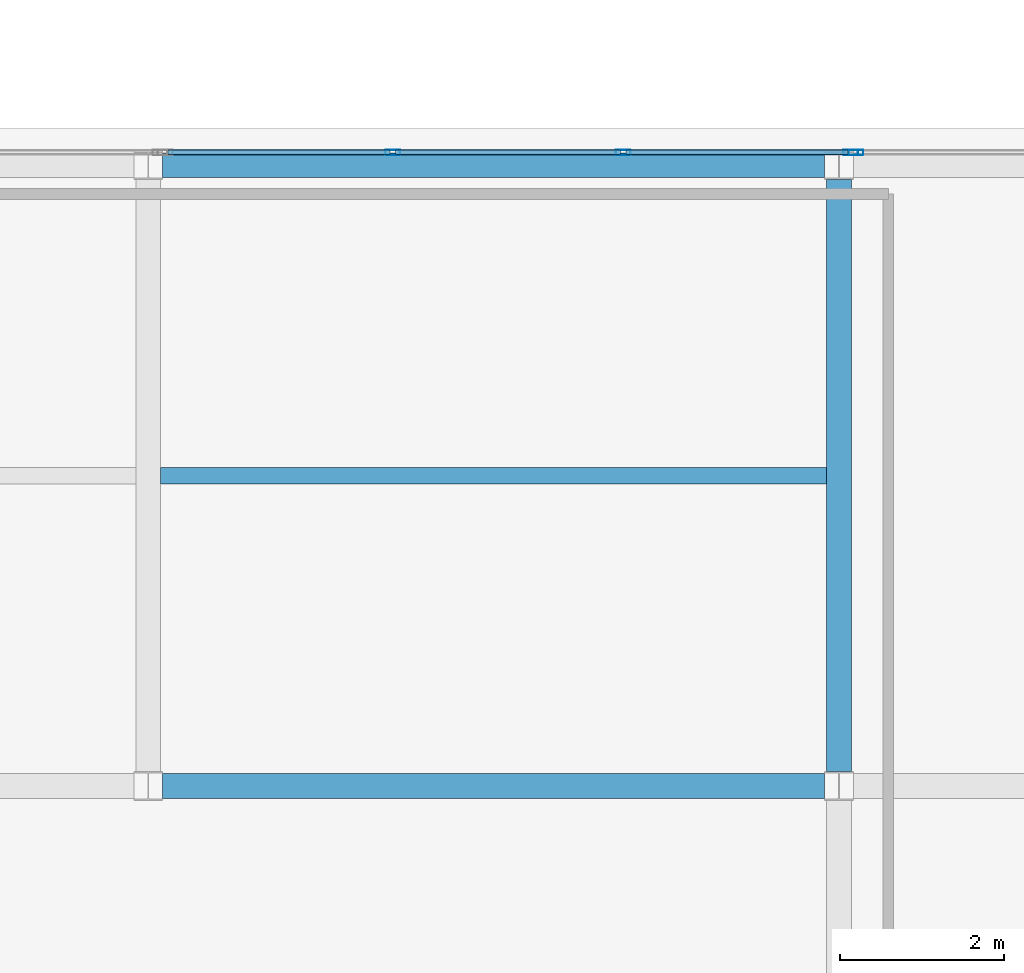
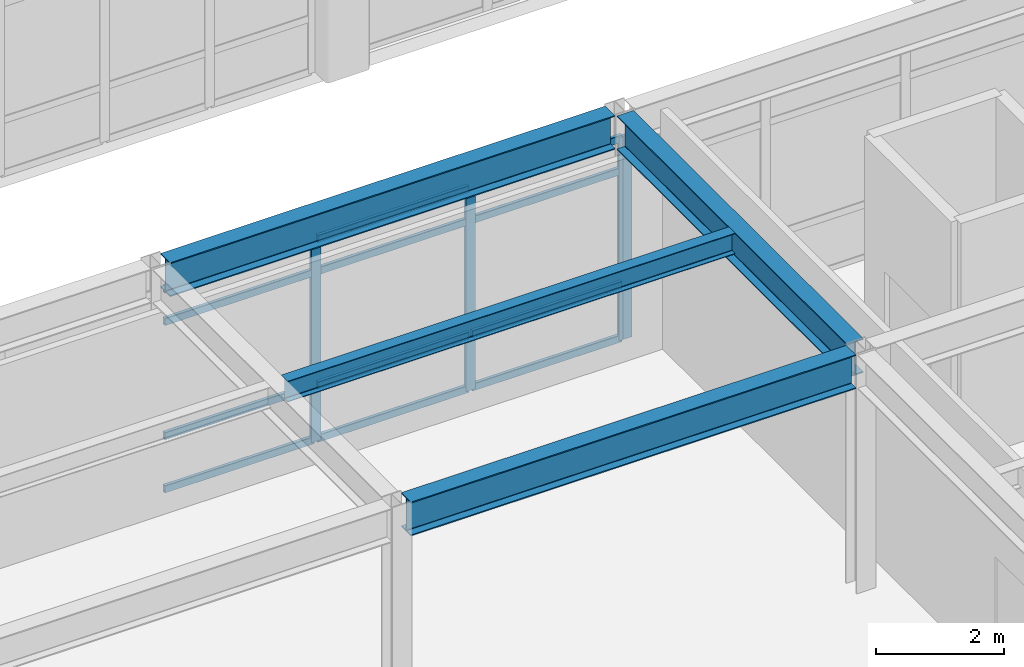
# One storey, part 30 of 154: 16 members, 4 beams, 2 elements without a shape of their own.
"""IFC4 building model written with IfcOpenShell, lengths in metres."""

from ifc_helpers import new_model, si_unit, direction, frame, origin, origin_2d, place, context, subcontext, project, spatial, hollow_rectangle, i_section, extrude, material, layer, layer_set, material_profile, profile_set, type_object, element, aggregate, save


model = new_model("IFC4")

# Units and contexts
model_context = context("Model", 3, precision=1e-05, world=origin(), true_north=direction((0.0, 1.0)))
body_context = subcontext(model_context, "Body", "Model", "MODEL_VIEW")
ifc_project = project(units=[si_unit("LENGTHUNIT", "METRE"), si_unit("AREAUNIT", "SQUARE_METRE"), si_unit("VOLUMEUNIT", "CUBIC_METRE"), si_unit("PLANEANGLEUNIT", "RADIAN"), si_unit("MASSUNIT", "GRAM", prefix="KILO")], contexts=[model_context])

# Site, building, storey
site_placement = place(None, origin())
site = spatial("IfcSite", under=ifc_project, at=site_placement, CompositionType="ELEMENT")
building_placement = place(site_placement, origin())
building = spatial("IfcBuilding", under=site, at=building_placement, Name="Kazehara Bluff Congress Hotel", CompositionType="ELEMENT")
storey_placement = place(building_placement, frame((0.0, 0.0, 10.199951171875)))
storey = spatial("IfcBuildingStorey", under=building, at=storey_placement, Name="L02", CompositionType="ELEMENT", Elevation=10.199951171875)

# Curtain wall, members
ifc_material_1 = material(Name="Anodised aluminium", Category="aluminium")
ifc_layer_1 = layer(ifc_material_1, 0.159912109375)
ifc_layer_set_1 = layer_set([ifc_layer_1], Name="Anodised aluminium")
curtain_wall_type_1 = type_object("IfcCurtainWallType", Name="TP-CW-131", PredefinedType="NOTDEFINED", material=ifc_layer_set_1)
curtain_wall_1_placement = place(storey_placement, origin())
curtain_wall_1 = element("IfcCurtainWall", 1, at=curtain_wall_1_placement, inside=storey, type_object=curtain_wall_type_1, Name="L02 curtain wall CW-131 CW-ENC-V2-L02-4638-3970", PredefinedType="NOTDEFINED")
ifc_material_2 = material(Name="Anodised aluminium", Category="aluminium")
ifc_material_profile_1 = material_profile(ifc_material_2, hollow_rectangle(XDim=0.06494140625, YDim=0.179931640625, WallThickness=0.00390625, InnerFilletRadius=0.00390625, OuterFilletRadius=0.008056640625, at=origin_2d()))
ifc_profile_set_1 = profile_set([ifc_material_profile_1], Name="Anodised aluminium")
member_type_1 = type_object("IfcMemberType", Name="TP-CWM-02", PredefinedType="MULLION", material=ifc_profile_set_1)
member_1_placement = place(storey_placement, frame((44.97509765625, 39.705078125, 0.0), z_axis=(0.0, 0.0, 1.0), x_axis=(0.0, 1.0, 0.0)))
member_1 = element("IfcMember", 2, at=member_1_placement, type_object=member_type_1, Name="CW-131 mullion 2", PredefinedType="MULLION", context=body_context, shape_type="SweptSolid", body=[
    extrude(hollow_rectangle(XDim=0.06494140625, YDim=0.179931640625, WallThickness=0.00390625, InnerFilletRadius=0.00390625, OuterFilletRadius=0.008056640625, at=origin_2d()), origin(), (0.0, 0.0, 1.0), 3.885009765625),
])
member_2_placement = place(storey_placement, frame((47.77490234375, 39.705078125, 0.0), z_axis=(0.0, 0.0, 1.0), x_axis=(0.0, 1.0, 0.0)))
member_2 = element("IfcMember", 3, at=member_2_placement, type_object=member_type_1, Name="CW-131 mullion 3", PredefinedType="MULLION", context=body_context, shape_type="SweptSolid", body=[
    extrude(hollow_rectangle(XDim=0.06494140625, YDim=0.179931640625, WallThickness=0.00390625, InnerFilletRadius=0.00390625, OuterFilletRadius=0.008056640625, at=origin_2d()), origin(), (0.0, 0.0, 1.0), 3.885009765625),
])
member_3_placement = place(storey_placement, frame((50.54248046875, 39.705078125, 0.0), z_axis=(0.0, 0.0, 1.0), x_axis=(0.0, 1.0, 0.0)))
member_3 = element("IfcMember", 4, at=member_3_placement, type_object=member_type_1, Name="CW-131 mullion 4", PredefinedType="MULLION", context=body_context, shape_type="SweptSolid", body=[
    extrude(hollow_rectangle(XDim=0.06494140625, YDim=0.179931640625, WallThickness=0.00390625, InnerFilletRadius=0.00390625, OuterFilletRadius=0.008056640625, at=origin_2d()), origin(), (0.0, 0.0, 1.0), 3.885009765625),
])

# Curtain wall, member
ifc_material_3 = material(Name="Anodised aluminium", Category="aluminium")
ifc_layer_2 = layer(ifc_material_3, 0.159912109375)
ifc_layer_set_2 = layer_set([ifc_layer_2], Name="Anodised aluminium")
curtain_wall_type_2 = type_object("IfcCurtainWallType", Name="TP-CW-129", PredefinedType="NOTDEFINED", material=ifc_layer_set_2)
curtain_wall_2_placement = place(storey_placement, origin())
curtain_wall_2 = element("IfcCurtainWall", 5, at=curtain_wall_2_placement, inside=storey, type_object=curtain_wall_type_2, Name="L02 curtain wall CW-129 CW-ENC-V2-L02-5438-3970", PredefinedType="NOTDEFINED")
member_4_placement = place(storey_placement, frame((50.607421875, 39.705078125, 0.0), z_axis=(0.0, 0.0, 1.0), x_axis=(0.0, 1.0, 0.0)))
member_4 = element("IfcMember", 6, at=member_4_placement, type_object=member_type_1, Name="CW-129 mullion 1", PredefinedType="MULLION", context=body_context, shape_type="SweptSolid", body=[
    extrude(hollow_rectangle(XDim=0.06494140625, YDim=0.179931640625, WallThickness=0.00390625, InnerFilletRadius=0.00390625, OuterFilletRadius=0.008056640625, at=origin_2d()), origin(), (0.0, 0.0, 1.0), 3.885009765625),
])
aggregate(curtain_wall_2, [member_4])

# Member
ifc_material_4 = material(Name="Anodised aluminium", Category="aluminium")
ifc_material_profile_2 = material_profile(ifc_material_4, hollow_rectangle(XDim=0.06494140625, YDim=0.139892578125, WallThickness=0.00390625, InnerFilletRadius=0.00390625, OuterFilletRadius=0.008056640625, at=origin_2d()))
ifc_profile_set_2 = profile_set([ifc_material_profile_2], Name="Anodised aluminium")
member_type_2 = type_object("IfcMemberType", Name="TP-CWT-02", PredefinedType="USERDEFINED", material=ifc_profile_set_2)
member_5_placement = place(storey_placement, frame((42.239990234375, 39.705078125, 0.032470703125), z_axis=(1.0, 0.0, 0.0), x_axis=(0.0, 1.0, 0.0)))
member_5 = element("IfcMember", 7, at=member_5_placement, type_object=member_type_2, Name="CW-131 transom 1.1", ObjectType="TRANSOM", PredefinedType="USERDEFINED", context=body_context, shape_type="SweptSolid", body=[
    extrude(hollow_rectangle(XDim=0.06494140625, YDim=0.139892578125, WallThickness=0.00390625, InnerFilletRadius=0.00390625, OuterFilletRadius=0.008056640625, at=origin_2d()), origin(), (0.0, 0.0, 1.0), 2.702392578125),
])

member_6_placement = place(storey_placement, frame((42.239990234375, 39.705078125, 1.050048828125), z_axis=(1.0, 0.0, 0.0), x_axis=(0.0, 1.0, 0.0)))
member_6 = element("IfcMember", 8, at=member_6_placement, type_object=member_type_2, Name="CW-131 transom 1.2", ObjectType="TRANSOM", PredefinedType="USERDEFINED", context=body_context, shape_type="SweptSolid", body=[
    extrude(hollow_rectangle(XDim=0.06494140625, YDim=0.139892578125, WallThickness=0.00390625, InnerFilletRadius=0.00390625, OuterFilletRadius=0.008056640625, at=origin_2d()), origin(), (0.0, 0.0, 1.0), 2.702392578125),
])

member_7_placement = place(storey_placement, frame((42.239990234375, 39.705078125, 3.235107421875), z_axis=(1.0, 0.0, 0.0), x_axis=(0.0, 1.0, 0.0)))
member_7 = element("IfcMember", 9, at=member_7_placement, type_object=member_type_2, Name="CW-131 transom 1.3", ObjectType="TRANSOM", PredefinedType="USERDEFINED", context=body_context, shape_type="SweptSolid", body=[
    extrude(hollow_rectangle(XDim=0.06494140625, YDim=0.139892578125, WallThickness=0.00390625, InnerFilletRadius=0.00390625, OuterFilletRadius=0.008056640625, at=origin_2d()), origin(), (0.0, 0.0, 1.0), 2.702392578125),
])

member_8_placement = place(storey_placement, frame((42.239990234375, 39.705078125, 3.8525390625), z_axis=(1.0, 0.0, 0.0), x_axis=(0.0, 1.0, 0.0)))
member_8 = element("IfcMember", 10, at=member_8_placement, type_object=member_type_2, Name="CW-131 transom 1.4", ObjectType="TRANSOM", PredefinedType="USERDEFINED", context=body_context, shape_type="SweptSolid", body=[
    extrude(hollow_rectangle(XDim=0.06494140625, YDim=0.139892578125, WallThickness=0.00390625, InnerFilletRadius=0.00390625, OuterFilletRadius=0.008056640625, at=origin_2d()), origin(), (0.0, 0.0, 1.0), 2.702392578125),
])

member_9_placement = place(storey_placement, frame((45.007568359375, 39.705078125, 0.032470703125), z_axis=(1.0, 0.0, 0.0), x_axis=(0.0, 1.0, 0.0)))
member_9 = element("IfcMember", 11, at=member_9_placement, type_object=member_type_2, Name="CW-131 transom 2.1", ObjectType="TRANSOM", PredefinedType="USERDEFINED", context=body_context, shape_type="SweptSolid", body=[
    extrude(hollow_rectangle(XDim=0.06494140625, YDim=0.139892578125, WallThickness=0.00390625, InnerFilletRadius=0.00390625, OuterFilletRadius=0.008056640625, at=origin_2d()), origin(), (0.0, 0.0, 1.0), 2.73486328125),
])

member_10_placement = place(storey_placement, frame((45.007568359375, 39.705078125, 1.050048828125), z_axis=(1.0, 0.0, 0.0), x_axis=(0.0, 1.0, 0.0)))
member_10 = element("IfcMember", 12, at=member_10_placement, type_object=member_type_2, Name="CW-131 transom 2.2", ObjectType="TRANSOM", PredefinedType="USERDEFINED", context=body_context, shape_type="SweptSolid", body=[
    extrude(hollow_rectangle(XDim=0.06494140625, YDim=0.139892578125, WallThickness=0.00390625, InnerFilletRadius=0.00390625, OuterFilletRadius=0.008056640625, at=origin_2d()), origin(), (0.0, 0.0, 1.0), 2.73486328125),
])

member_11_placement = place(storey_placement, frame((45.007568359375, 39.705078125, 3.235107421875), z_axis=(1.0, 0.0, 0.0), x_axis=(0.0, 1.0, 0.0)))
member_11 = element("IfcMember", 13, at=member_11_placement, type_object=member_type_2, Name="CW-131 transom 2.3", ObjectType="TRANSOM", PredefinedType="USERDEFINED", context=body_context, shape_type="SweptSolid", body=[
    extrude(hollow_rectangle(XDim=0.06494140625, YDim=0.139892578125, WallThickness=0.00390625, InnerFilletRadius=0.00390625, OuterFilletRadius=0.008056640625, at=origin_2d()), origin(), (0.0, 0.0, 1.0), 2.73486328125),
])

member_12_placement = place(storey_placement, frame((45.007568359375, 39.705078125, 3.8525390625), z_axis=(1.0, 0.0, 0.0), x_axis=(0.0, 1.0, 0.0)))
member_12 = element("IfcMember", 14, at=member_12_placement, type_object=member_type_2, Name="CW-131 transom 2.4", ObjectType="TRANSOM", PredefinedType="USERDEFINED", context=body_context, shape_type="SweptSolid", body=[
    extrude(hollow_rectangle(XDim=0.06494140625, YDim=0.139892578125, WallThickness=0.00390625, InnerFilletRadius=0.00390625, OuterFilletRadius=0.008056640625, at=origin_2d()), origin(), (0.0, 0.0, 1.0), 2.73486328125),
])

member_13_placement = place(storey_placement, frame((47.8076171875, 39.705078125, 0.032470703125), z_axis=(1.0, 0.0, 0.0), x_axis=(0.0, 1.0, 0.0)))
member_13 = element("IfcMember", 15, at=member_13_placement, type_object=member_type_2, Name="CW-131 transom 3.1", ObjectType="TRANSOM", PredefinedType="USERDEFINED", context=body_context, shape_type="SweptSolid", body=[
    extrude(hollow_rectangle(XDim=0.06494140625, YDim=0.139892578125, WallThickness=0.00390625, InnerFilletRadius=0.00390625, OuterFilletRadius=0.008056640625, at=origin_2d()), origin(), (0.0, 0.0, 1.0), 2.702392578125),
])

member_14_placement = place(storey_placement, frame((47.8076171875, 39.705078125, 1.050048828125), z_axis=(1.0, 0.0, 0.0), x_axis=(0.0, 1.0, 0.0)))
member_14 = element("IfcMember", 16, at=member_14_placement, type_object=member_type_2, Name="CW-131 transom 3.2", ObjectType="TRANSOM", PredefinedType="USERDEFINED", context=body_context, shape_type="SweptSolid", body=[
    extrude(hollow_rectangle(XDim=0.06494140625, YDim=0.139892578125, WallThickness=0.00390625, InnerFilletRadius=0.00390625, OuterFilletRadius=0.008056640625, at=origin_2d()), origin(), (0.0, 0.0, 1.0), 2.702392578125),
])

member_15_placement = place(storey_placement, frame((47.8076171875, 39.705078125, 3.235107421875), z_axis=(1.0, 0.0, 0.0), x_axis=(0.0, 1.0, 0.0)))
member_15 = element("IfcMember", 17, at=member_15_placement, type_object=member_type_2, Name="CW-131 transom 3.3", ObjectType="TRANSOM", PredefinedType="USERDEFINED", context=body_context, shape_type="SweptSolid", body=[
    extrude(hollow_rectangle(XDim=0.06494140625, YDim=0.139892578125, WallThickness=0.00390625, InnerFilletRadius=0.00390625, OuterFilletRadius=0.008056640625, at=origin_2d()), origin(), (0.0, 0.0, 1.0), 2.702392578125),
])

member_16_placement = place(storey_placement, frame((47.8076171875, 39.705078125, 3.8525390625), z_axis=(1.0, 0.0, 0.0), x_axis=(0.0, 1.0, 0.0)))
member_16 = element("IfcMember", 18, at=member_16_placement, type_object=member_type_2, Name="CW-131 transom 3.4", ObjectType="TRANSOM", PredefinedType="USERDEFINED", context=body_context, shape_type="SweptSolid", body=[
    extrude(hollow_rectangle(XDim=0.06494140625, YDim=0.139892578125, WallThickness=0.00390625, InnerFilletRadius=0.00390625, OuterFilletRadius=0.008056640625, at=origin_2d()), origin(), (0.0, 0.0, 1.0), 2.702392578125),
])

aggregate(curtain_wall_1, [member_1, member_2, member_3, member_5, member_6, member_7, member_8, member_9, member_10, member_11, member_12, member_13, member_14, member_15, member_16])

# Beams
ifc_material_5 = material(Name="Steel SN490B", Category="steel")
ifc_material_profile_3 = material_profile(ifc_material_5, i_section(OverallWidth=0.300048828125, OverallDepth=0.64990234375, WebThickness=0.011962890625, FlangeThickness=0.02001953125, FilletRadius=0.012939453125, at=origin_2d()))
ifc_profile_set_3 = profile_set([ifc_material_profile_3], Name="Steel SN490B")
beam_type_1 = type_object("IfcBeamType", Name="TP-G-03", PredefinedType="BEAM", material=ifc_profile_set_3)
beam_1_placement = place(storey_placement, frame((50.39990234375, 32.175048828125, 4.235107421875), z_axis=(0.0, 1.0, 0.0), x_axis=(-1.0, 0.0, 0.0)))
element("IfcBeam", 19, at=beam_1_placement, inside=storey, type_object=beam_type_1, Name="L02 girder G-03 45", PredefinedType="BEAM", context=body_context, shape_type="SweptSolid", body=[
    extrude(i_section(OverallWidth=0.300048828125, OverallDepth=0.64990234375, WebThickness=0.011962890625, FlangeThickness=0.02001953125, FilletRadius=0.012939453125, at=origin_2d()), origin(), (0.0, 0.0, 1.0), 7.199951171875),
])
for number, where, z_axis, x_axis, name in (
    (20, (42.175048828125, 32.0, 4.235107421875), (1.0, 0.0, 0.0), (0.0, 1.0, 0.0), "L02 girder G-03 52"),
    (21, (42.175048828125, 39.550048828125, 4.235107421875), (1.0, 0.0, 0.0), (0.0, 1.0, 0.0), "L02 girder G-03 55"),
):
    element("IfcBeam", number, at=place(storey_placement, frame(where, z_axis=z_axis, x_axis=x_axis)), inside=storey, type_object=beam_type_1, Name=name, PredefinedType="BEAM", context=body_context, shape_type="SweptSolid", body=[
        extrude(i_section(OverallWidth=0.300048828125, OverallDepth=0.64990234375, WebThickness=0.011962890625, FlangeThickness=0.02001953125, FilletRadius=0.012939453125, at=origin_2d()), origin(), (0.0, 0.0, 1.0), 8.050048828125),
    ])
ifc_material_6 = material(Name="Steel SN400B", Category="steel")
ifc_material_profile_4 = material_profile(ifc_material_6, i_section(OverallWidth=0.199951171875, OverallDepth=0.39990234375, WebThickness=0.008056640625, FlangeThickness=0.012939453125, FilletRadius=0.012939453125, at=origin_2d()))
ifc_profile_set_4 = profile_set([ifc_material_profile_4], Name="Steel SN400B")
beam_type_2 = type_object("IfcBeamType", Name="TP-J-03", PredefinedType="JOIST", material=ifc_profile_set_4)
beam_2_placement = place(storey_placement, frame((42.14990234375, 35.77490234375, 4.360107421875), z_axis=(1.0, 0.0, 0.0), x_axis=(0.0, 1.0, 0.0)))
element("IfcBeam", 22, at=beam_2_placement, inside=storey, type_object=beam_type_2, Name="L02 secondary joist J-03 2", PredefinedType="JOIST", context=body_context, shape_type="SweptSolid", body=[
    extrude(i_section(OverallWidth=0.199951171875, OverallDepth=0.39990234375, WebThickness=0.008056640625, FlangeThickness=0.012939453125, FilletRadius=0.012939453125, at=origin_2d()), origin(), (0.0, 0.0, 1.0), 8.10009765625),
])

save(model, "model.ifc")
